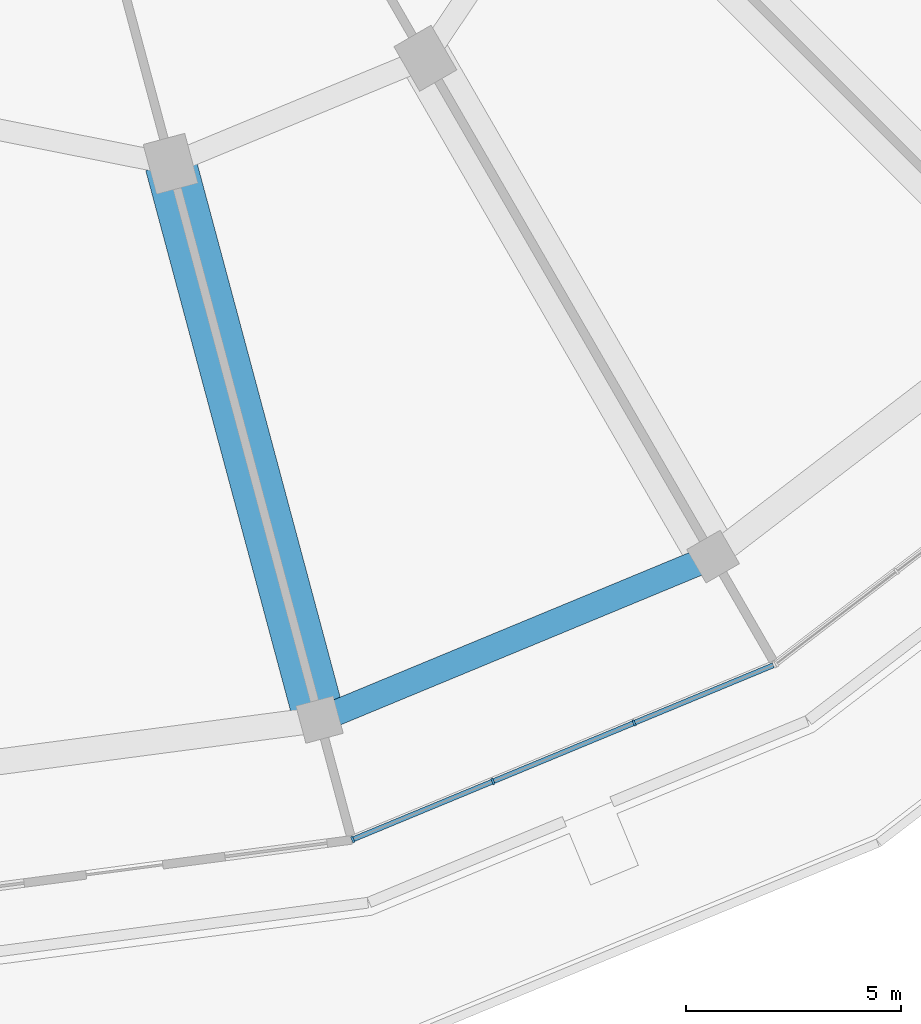
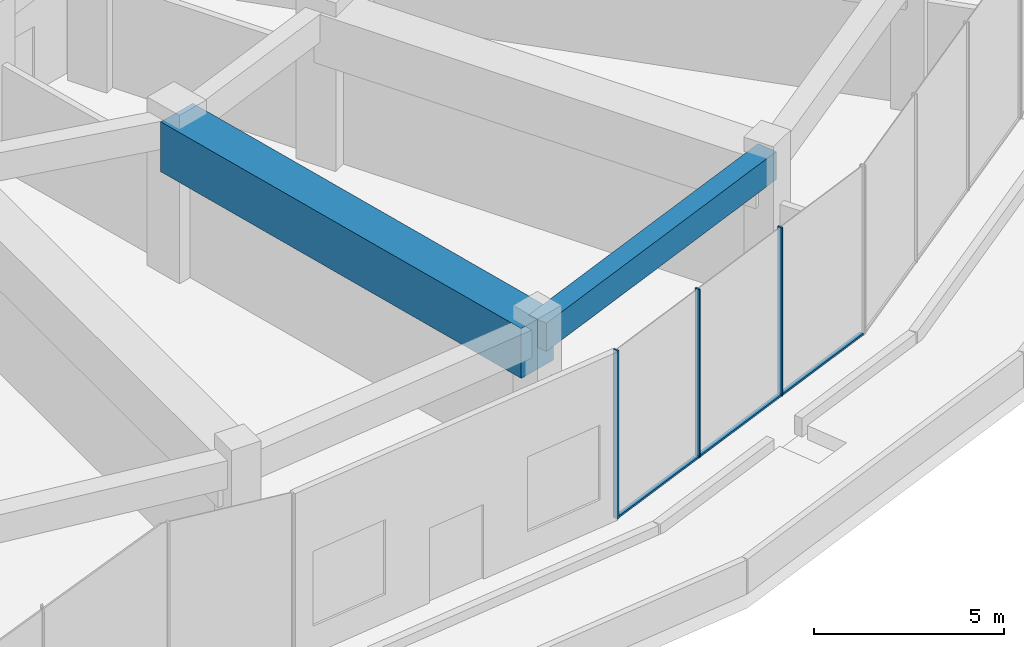
# One storey, part 6 of 30: 6 members, 2 beams, 1 element without a shape of its own.
"""IFC4 building model written with IfcOpenShell, lengths in metres."""

import ifcopenshell
import ifcopenshell.guid

model = None  # the IFC model being written
_history = None  # IfcOwnerHistory: only IFC2X3 demands one
_inside = {}  # id of a spatial element -> (the spatial element, [elements in it])
_under = {}  # id of a project, library or spatial element -> (it, [spatial elements below it])
_declared = {}  # id of a project -> (the project, [libraries it declares])
_typed = {}  # id of a type object -> (the type object, [elements of that type])
_made_of = {}  # id of a material, layer set ... -> (it, [elements and type objects made of it])


def new_model(schema):
    """Start an empty IFC model of exactly this schema.

    Asked for "IFC4X3", IfcOpenShell would pick the latest addendum, in which some entities
    have other attributes; the version numbers below select the first issue.
    IFC2X3 requires an IfcOwnerHistory on every rooted entity: one is made here for all.
    """
    global model, _history
    if schema == "IFC4X3":
        model = ifcopenshell.file(schema_version=(4, 3, 0, 0))
    else:
        model = ifcopenshell.file(schema=schema)
    _inside.clear()
    _under.clear()
    _declared.clear()
    _typed.clear()
    _made_of.clear()
    _history = None
    if model.schema == "IFC2X3":
        org = make("IfcOrganization", Name="unknown")
        user = make(
            "IfcPersonAndOrganization",
            ThePerson=make("IfcPerson", FamilyName="unknown"),
            TheOrganization=org,
        )
        app = make(
            "IfcApplication",
            ApplicationDeveloper=org,
            Version="unknown",
            ApplicationFullName="unknown",
            ApplicationIdentifier="unknown",
        )
        _history = make(
            "IfcOwnerHistory",
            OwningUser=user,
            OwningApplication=app,
            ChangeAction="ADDED",
            CreationDate=0,
        )
    return model


def make(cls, **values):
    """One entity of the class cls with the attributes given. An attribute that is None is left unset."""
    return model.create_entity(
        cls, **{name: value for name, value in values.items() if value is not None}
    )


def rooted(cls, **values):
    """An entity with a GlobalId (a new one), such as an element, a storey or a relation."""
    return make(cls, GlobalId=ifcopenshell.guid.new(), OwnerHistory=_history, **values)


def si_unit(unit_type, name, prefix=None):
    """IfcSIUnit, for example si_unit("LENGTHUNIT", "METRE", prefix="MILLI")."""
    return make("IfcSIUnit", UnitType=unit_type, Prefix=prefix, Name=name)


def assignment(units):
    """IfcUnitAssignment: the units of a project."""
    return None if units is None else make("IfcUnitAssignment", Units=units)


def point(xyz):
    """IfcCartesianPoint."""
    return None if xyz is None else make("IfcCartesianPoint", Coordinates=xyz)


def direction(xyz):
    """IfcDirection."""
    return None if xyz is None else make("IfcDirection", DirectionRatios=xyz)


def frame(location, z_axis=None, x_axis=None):
    """IfcAxis2Placement3D, a coordinate frame: its origin and axes. An axis left out is left unset."""
    return make(
        "IfcAxis2Placement3D",
        Location=point(location),
        Axis=direction(z_axis),
        RefDirection=direction(x_axis),
    )


def frame_2d(location, x_axis=None):
    """IfcAxis2Placement2D, a coordinate frame in the plane: its origin and x axis."""
    return make(
        "IfcAxis2Placement2D", Location=point(location), RefDirection=direction(x_axis)
    )


def origin():
    """The frame at (0, 0, 0) with its axes left unset."""
    return frame((0.0, 0.0, 0.0))


def origin_2d():
    """The frame at (0, 0) in the plane with its x axis left unset."""
    return frame_2d((0.0, 0.0))


def place(relative_to, where):
    """IfcLocalPlacement: puts the frame where relative to a parent placement (None: the world)."""
    return make(
        "IfcLocalPlacement", PlacementRelTo=relative_to, RelativePlacement=where
    )


def context(
    kind, dimensions, precision=None, world=None, true_north=None, identifier=None
):
    """IfcGeometricRepresentationContext, for example the 3D "Model" context."""
    return make(
        "IfcGeometricRepresentationContext",
        ContextIdentifier=identifier,
        ContextType=kind,
        CoordinateSpaceDimension=dimensions,
        Precision=precision,
        WorldCoordinateSystem=world,
        TrueNorth=true_north,
    )


def subcontext(parent, identifier, kind, view, scale=None):
    """IfcGeometricRepresentationSubContext, for example "Body" below "Model"."""
    return make(
        "IfcGeometricRepresentationSubContext",
        ContextIdentifier=identifier,
        ContextType=kind,
        ParentContext=parent,
        TargetScale=scale,
        TargetView=view,
    )


def project(units=None, contexts=None):
    """IfcProject with its units and contexts."""
    return rooted(
        "IfcProject",
        Name="project",
        RepresentationContexts=contexts,
        UnitsInContext=assignment(units),
    )


def spatial(cls, under=None, at=None, **own):
    """A site, building, storey or space (cls), placed at a placement, below another one or the project."""
    s = rooted(cls, ObjectPlacement=at, **own)
    if under is not None:
        _under.setdefault(under.id(), (under, []))[1].append(s)
    return s


def profile(cls, at=None, kind="AREA", **sizes):
    """A parametric profile (cls). Its sizes go by their IFC names, for example OverallWidth=200.0."""
    return make(cls, ProfileType=kind, Position=at, **sizes)


def rectangle(**sizes):
    """IfcRectangleProfileDef."""
    return profile("IfcRectangleProfileDef", **sizes)


def extrude(swept, where, along, depth):
    """IfcExtrudedAreaSolid: the profile swept, set in the frame where, extruded along a direction by depth."""
    return make(
        "IfcExtrudedAreaSolid",
        SweptArea=swept,
        Position=where,
        ExtrudedDirection=direction(along),
        Depth=depth,
    )


def shape(context_of_items, identifier, shape_type, items):
    """IfcShapeRepresentation: the items that make up one representation, for example the "Body"."""
    return make(
        "IfcShapeRepresentation",
        ContextOfItems=context_of_items,
        RepresentationIdentifier=identifier,
        RepresentationType=shape_type,
        Items=items,
    )


def material(Name=None, Category=None):
    """IfcMaterial."""
    return make("IfcMaterial", Name=Name, Category=Category)


def layer(
    of_material, thickness, ventilated=None, Name=None, Category=None, Priority=None
):
    """IfcMaterialLayer: one layer of a wall or slab, of a material (None: an air gap)."""
    return make(
        "IfcMaterialLayer",
        Material=of_material,
        LayerThickness=thickness,
        IsVentilated=ventilated,
        Name=Name,
        Category=Category,
        Priority=Priority,
    )


def layer_set(layers, Name=None):
    """IfcMaterialLayerSet."""
    return make("IfcMaterialLayerSet", MaterialLayers=layers, LayerSetName=Name)


def material_profile(
    of_material, cross_section, Name=None, Category=None, Priority=None
):
    """IfcMaterialProfile: a cross section and its material."""
    return make(
        "IfcMaterialProfile",
        Name=Name,
        Material=of_material,
        Profile=cross_section,
        Priority=Priority,
        Category=Category,
    )


def profile_set(profiles, Name=None, composite=None):
    """IfcMaterialProfileSet."""
    return make(
        "IfcMaterialProfileSet",
        Name=Name,
        MaterialProfiles=profiles,
        CompositeProfile=composite,
    )


def made_of(thing, what):
    """Note that an element or type object is made of a material, layer set ...; save() writes the relation."""
    if what is not None:
        _made_of.setdefault(what.id(), (what, []))[1].append(thing)
    return thing


def type_object(cls, material=None, **own):
    """A type object (cls), such as IfcWallType, which elements share."""
    return made_of(rooted(cls, **own), material)


def element(
    cls,
    number,
    at=None,
    inside=None,
    cuts=None,
    type_object=None,
    material=None,
    context=None,
    identifier="Body",
    shape_type=None,
    held_by="IfcProductDefinitionShape",
    body=None,
    shapes=None,
    **own,
):
    """One element of the class cls, such as IfcWall. Its Tag is "e" and its number.

    at: its placement. inside: the storey or other place that contains it. cuts: it is an
    opening in that element (IfcRelVoidsElement). A single representation is given by context,
    identifier, shape_type and body (its items); several are given by shapes. held_by: the class
    of the entity that holds the representations. save() writes the other relations.
    """
    e = rooted(cls, Tag="e%d" % number, ObjectPlacement=at, **own)
    if body is not None:
        shapes = [shape(context, identifier, shape_type, body)]
    if shapes is not None:
        e.Representation = make(held_by, Representations=shapes)
    if inside is not None:
        _inside.setdefault(inside.id(), (inside, []))[1].append(e)
    if cuts is not None:
        rooted(
            "IfcRelVoidsElement", RelatingBuildingElement=cuts, RelatedOpeningElement=e
        )
    if type_object is not None:
        _typed.setdefault(type_object.id(), (type_object, []))[1].append(e)
    return made_of(e, material)


def aggregate(whole, parts):
    """IfcRelAggregates: a whole, such as a stair, and the parts it consists of."""
    return rooted("IfcRelAggregates", RelatingObject=whole, RelatedObjects=parts)


def save(model, path):
    """Write the relations noted so far, then the file.

    IfcRelAggregates (storeys below a building ...), IfcRelContainedInSpatialStructure (elements
    in a storey), IfcRelDefinesByType, IfcRelAssociatesMaterial and IfcRelDeclares: one each for
    every whole, place, type object, material and project.
    """
    for whole, parts in _under.values():
        aggregate(whole, parts)
    for where, things in _inside.values():
        rooted(
            "IfcRelContainedInSpatialStructure",
            RelatedElements=things,
            RelatingStructure=where,
        )
    for kind, things in _typed.values():
        rooted("IfcRelDefinesByType", RelatedObjects=things, RelatingType=kind)
    for what, things in _made_of.values():
        rooted("IfcRelAssociatesMaterial", RelatedObjects=things, RelatingMaterial=what)
    for by, libraries in _declared.values():
        rooted("IfcRelDeclares", RelatingContext=by, RelatedDefinitions=libraries)
    model.write(path)


model = new_model("IFC4")

# Units and contexts
model_context = context("Model", 3, precision=1e-05, world=origin(), true_north=direction((0.0, 1.0)))
body_context = subcontext(model_context, "Body", "Model", "MODEL_VIEW")
ifc_project = project(units=[si_unit("LENGTHUNIT", "METRE"), si_unit("AREAUNIT", "SQUARE_METRE"), si_unit("VOLUMEUNIT", "CUBIC_METRE"), si_unit("PLANEANGLEUNIT", "RADIAN"), si_unit("MASSUNIT", "GRAM", prefix="KILO")], contexts=[model_context])

# Site, building, storey
site_placement = place(None, origin())
site = spatial("IfcSite", under=ifc_project, at=site_placement, CompositionType="ELEMENT")
building_placement = place(site_placement, origin())
building = spatial("IfcBuilding", under=site, at=building_placement, Name="Torre Brocal", CompositionType="ELEMENT")
storey_placement = place(building_placement, frame((0.0, 0.0, 7.0)))
storey = spatial("IfcBuildingStorey", under=building, at=storey_placement, Name="L01", CompositionType="ELEMENT", Elevation=7.0)

# Curtain wall, members
ifc_material_1 = material(Name="Aluminium and glass", Category="aluminium")
ifc_layer = layer(ifc_material_1, 0.199951171875)
ifc_layer_set = layer_set([ifc_layer], Name="Aluminium and glass")
curtain_wall_type = type_object("IfcCurtainWallType", Name="CW-3 CURTAIN WALL 5400 HIGH", PredefinedType="NOTDEFINED", material=ifc_layer_set)
curtain_wall_placement = place(storey_placement, origin())
curtain_wall = element("IfcCurtainWall", 1, at=curtain_wall_placement, inside=storey, type_object=curtain_wall_type, Name="CW-3 RUN 20", PredefinedType="NOTDEFINED")
ifc_material_2 = material(Name="Aluminium, dark anodised", Category="aluminium")
ifc_material_profile_1 = material_profile(ifc_material_2, rectangle(XDim=0.14990234375, YDim=0.050048828125, at=origin_2d()), Name="CW-3 MULLION 50X150")
ifc_profile_set_1 = profile_set([ifc_material_profile_1], Name="Aluminium, dark anodised")
member_type_1 = type_object("IfcMemberType", Name="CW-3 MULLION 50X150", PredefinedType="MULLION", material=ifc_profile_set_1)
member_1_placement = place(storey_placement, frame((90.608642578125, 35.504150390625, 0.0), z_axis=(0.0, 0.0, 1.0), x_axis=(-0.382683432397, 0.923879532498, 0.0)))
member_1 = element("IfcMember", 2, at=member_1_placement, type_object=member_type_1, Name="CW3-2 mullion 1", PredefinedType="MULLION", context=body_context, shape_type="SweptSolid", body=[
    extrude(rectangle(XDim=0.14990234375, YDim=0.050048828125, at=origin_2d()), origin(), (0.0, 0.0, 1.0), 5.39990234375),
])
member_2_placement = place(storey_placement, frame((93.87353515625, 36.8564453125, 0.0), z_axis=(0.0, 0.0, 1.0), x_axis=(-0.382683432397, 0.923879532498, 0.0)))
member_2 = element("IfcMember", 3, at=member_2_placement, type_object=member_type_1, Name="CW3-2 mullion 2", PredefinedType="MULLION", context=body_context, shape_type="SweptSolid", body=[
    extrude(rectangle(XDim=0.14990234375, YDim=0.050048828125, at=origin_2d()), origin(), (0.0, 0.0, 1.0), 5.39990234375),
])
member_3_placement = place(storey_placement, frame((97.16162109375, 38.21826171875, 0.0), z_axis=(0.0, 0.0, 1.0), x_axis=(-0.382683432397, 0.923879532498, 0.0)))
member_3 = element("IfcMember", 4, at=member_3_placement, type_object=member_type_1, Name="CW3-2 mullion 3", PredefinedType="MULLION", context=body_context, shape_type="SweptSolid", body=[
    extrude(rectangle(XDim=0.14990234375, YDim=0.050048828125, at=origin_2d()), origin(), (0.0, 0.0, 1.0), 5.39990234375),
])
ifc_material_3 = material(Name="Aluminium, dark anodised", Category="aluminium")
ifc_material_profile_2 = material_profile(ifc_material_3, rectangle(XDim=0.1201171875, YDim=0.06005859375, at=origin_2d()), Name="CW-3 TRANSOM 120X60")
ifc_profile_set_2 = profile_set([ifc_material_profile_2], Name="Aluminium, dark anodised")
member_type_2 = type_object("IfcMemberType", Name="CW-3 TRANSOM 120X60", PredefinedType="USERDEFINED", material=ifc_profile_set_2)
member_4_placement = place(storey_placement, frame((90.631591796875, 35.513671875, 0.030029296875), z_axis=(0.923879324553, 0.382683934419, 0.0), x_axis=(-0.382683934419, 0.923879324553, 0.0)))
member_4 = element("IfcMember", 5, at=member_4_placement, type_object=member_type_2, Name="CW3-2 transom 1.1", ObjectType="TRANSOM", PredefinedType="USERDEFINED", context=body_context, shape_type="SweptSolid", body=[
    extrude(rectangle(XDim=0.1201171875, YDim=0.06005859375, at=origin_2d()), origin(), (0.0, 0.0, 1.0), 3.48388671875),
])
member_5_placement = place(storey_placement, frame((93.896484375, 36.865966796875, 0.030029296875), z_axis=(0.923887942392, 0.382663128485, 0.0), x_axis=(-0.382663128485, 0.923887942392, 0.0)))
member_5 = element("IfcMember", 6, at=member_5_placement, type_object=member_type_2, Name="CW3-2 transom 2.1", ObjectType="TRANSOM", PredefinedType="USERDEFINED", context=body_context, shape_type="SweptSolid", body=[
    extrude(rectangle(XDim=0.1201171875, YDim=0.06005859375, at=origin_2d()), origin(), (0.0, 0.0, 1.0), 3.509033203125),
])
member_6_placement = place(storey_placement, frame((97.1845703125, 38.22802734375, 0.030029296875), z_axis=(0.923879324553, 0.382683934419, 0.0), x_axis=(-0.382683934419, 0.923879324553, 0.0)))
member_6 = element("IfcMember", 7, at=member_6_placement, type_object=member_type_2, Name="CW3-2 transom 3.1", ObjectType="TRANSOM", PredefinedType="USERDEFINED", context=body_context, shape_type="SweptSolid", body=[
    extrude(rectangle(XDim=0.1201171875, YDim=0.06005859375, at=origin_2d()), origin(), (0.0, 0.0, 1.0), 3.48388671875),
])
aggregate(curtain_wall, [member_1, member_2, member_3, member_4, member_5, member_6])

# Beams
ifc_material_4 = material(Name="Concrete C50", Category="concrete")
ifc_material_profile_3 = material_profile(ifc_material_4, rectangle(XDim=0.60009765625, YDim=0.89990234375, at=origin_2d()), Name="RC 600X900")
ifc_profile_set_3 = profile_set([ifc_material_profile_3], Name="Concrete C50")
beam_type_1 = type_object("IfcBeamType", Name="RC BEAM 600X900 C50 TOP 4950", PredefinedType="BEAM", material=ifc_profile_set_3)
beam_1_placement = place(storey_placement, frame((89.835205078125, 38.294921875, 4.5), z_axis=(0.923880950116, 0.382680009946, 0.0), x_axis=(-0.382680009946, 0.923880950116, 0.0)))
element("IfcBeam", 8, at=beam_1_placement, inside=storey, type_object=beam_type_1, Name="Beam BT-10", PredefinedType="BEAM", context=body_context, shape_type="SweptSolid", body=[
    extrude(rectangle(XDim=0.60009765625, YDim=0.89990234375, at=origin_2d()), origin(), (0.0, 0.0, 1.0), 9.919921875),
])
ifc_material_5 = material(Name="Concrete C60", Category="concrete")
ifc_material_profile_4 = material_profile(ifc_material_5, rectangle(XDim=1.199951171875, YDim=1.60009765625, at=origin_2d()), Name="RC 1200X1600")
ifc_profile_set_4 = profile_set([ifc_material_profile_4], Name="Concrete C60")
beam_type_2 = type_object("IfcBeamType", Name="RC TRANSFER GIRDER 1200X1600 C60 TOP 4950", PredefinedType="BEAM", material=ifc_profile_set_4)
beam_2_placement = place(storey_placement, frame((86.366943359375, 51.23828125, 4.14990234375), z_axis=(0.258825940132, -0.965923978745, 0.0), x_axis=(0.965923978745, 0.258825940132, 0.0)))
element("IfcBeam", 9, at=beam_2_placement, inside=storey, type_object=beam_type_2, Name="Beam TG-02", PredefinedType="BEAM", context=body_context, shape_type="SweptSolid", body=[
    extrude(rectangle(XDim=1.199951171875, YDim=1.60009765625, at=origin_2d()), origin(), (0.0, 0.0, 1.0), 13.39990234375),
])

save(model, "model.ifc")
